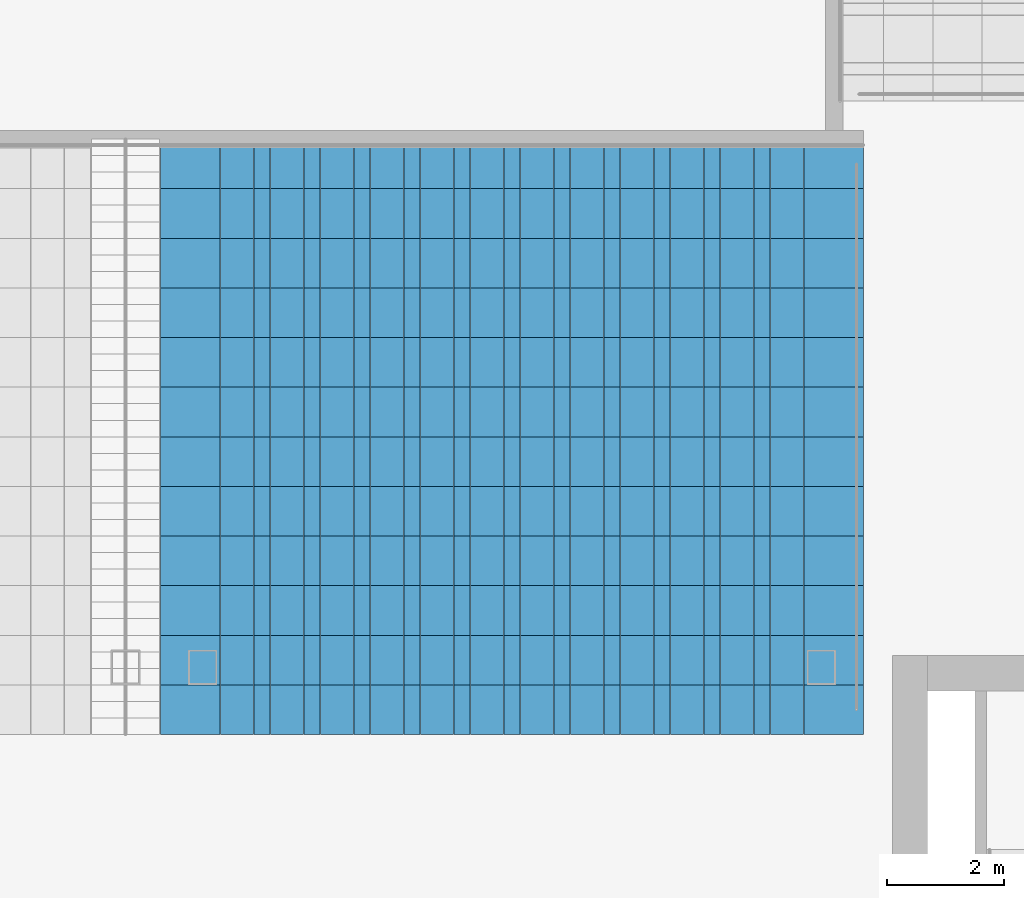
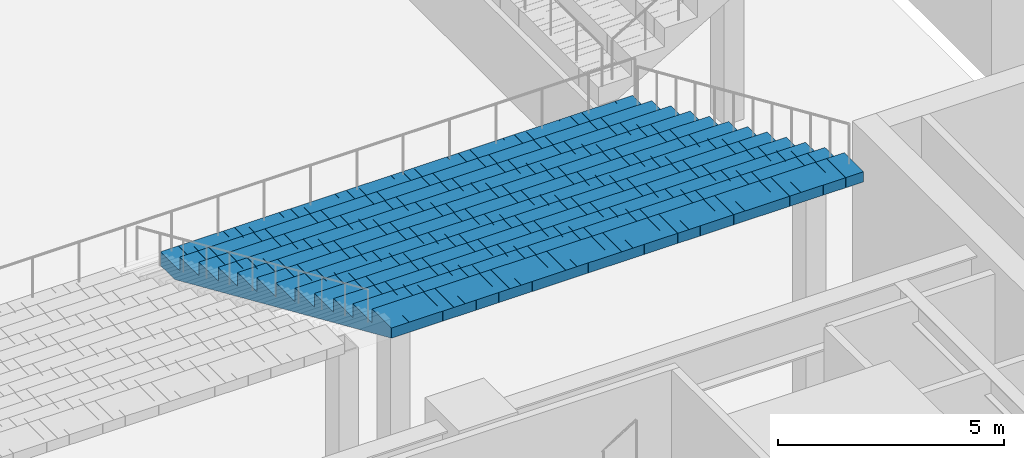
# One storey, part 29 of 62: 1 slab.
"""IFC4 building model written with IfcOpenShell, lengths in metres."""

import ifcopenshell
import ifcopenshell.guid

model = None  # the IFC model being written
_history = None  # IfcOwnerHistory: only IFC2X3 demands one
_inside = {}  # id of a spatial element -> (the spatial element, [elements in it])
_under = {}  # id of a project, library or spatial element -> (it, [spatial elements below it])
_declared = {}  # id of a project -> (the project, [libraries it declares])
_typed = {}  # id of a type object -> (the type object, [elements of that type])
_made_of = {}  # id of a material, layer set ... -> (it, [elements and type objects made of it])


def new_model(schema):
    """Start an empty IFC model of exactly this schema.

    Asked for "IFC4X3", IfcOpenShell would pick the latest addendum, in which some entities
    have other attributes; the version numbers below select the first issue.
    IFC2X3 requires an IfcOwnerHistory on every rooted entity: one is made here for all.
    """
    global model, _history
    if schema == "IFC4X3":
        model = ifcopenshell.file(schema_version=(4, 3, 0, 0))
    else:
        model = ifcopenshell.file(schema=schema)
    _inside.clear()
    _under.clear()
    _declared.clear()
    _typed.clear()
    _made_of.clear()
    _history = None
    if model.schema == "IFC2X3":
        org = make("IfcOrganization", Name="unknown")
        user = make(
            "IfcPersonAndOrganization",
            ThePerson=make("IfcPerson", FamilyName="unknown"),
            TheOrganization=org,
        )
        app = make(
            "IfcApplication",
            ApplicationDeveloper=org,
            Version="unknown",
            ApplicationFullName="unknown",
            ApplicationIdentifier="unknown",
        )
        _history = make(
            "IfcOwnerHistory",
            OwningUser=user,
            OwningApplication=app,
            ChangeAction="ADDED",
            CreationDate=0,
        )
    return model


def make(cls, **values):
    """One entity of the class cls with the attributes given. An attribute that is None is left unset."""
    return model.create_entity(
        cls, **{name: value for name, value in values.items() if value is not None}
    )


def rooted(cls, **values):
    """An entity with a GlobalId (a new one), such as an element, a storey or a relation."""
    return make(cls, GlobalId=ifcopenshell.guid.new(), OwnerHistory=_history, **values)


def si_unit(unit_type, name, prefix=None):
    """IfcSIUnit, for example si_unit("LENGTHUNIT", "METRE", prefix="MILLI")."""
    return make("IfcSIUnit", UnitType=unit_type, Prefix=prefix, Name=name)


def assignment(units):
    """IfcUnitAssignment: the units of a project."""
    return None if units is None else make("IfcUnitAssignment", Units=units)


def point(xyz):
    """IfcCartesianPoint."""
    return None if xyz is None else make("IfcCartesianPoint", Coordinates=xyz)


def direction(xyz):
    """IfcDirection."""
    return None if xyz is None else make("IfcDirection", DirectionRatios=xyz)


def frame(location, z_axis=None, x_axis=None):
    """IfcAxis2Placement3D, a coordinate frame: its origin and axes. An axis left out is left unset."""
    return make(
        "IfcAxis2Placement3D",
        Location=point(location),
        Axis=direction(z_axis),
        RefDirection=direction(x_axis),
    )


def origin():
    """The frame at (0, 0, 0) with its axes left unset."""
    return frame((0.0, 0.0, 0.0))


def place(relative_to, where):
    """IfcLocalPlacement: puts the frame where relative to a parent placement (None: the world)."""
    return make(
        "IfcLocalPlacement", PlacementRelTo=relative_to, RelativePlacement=where
    )


def context(
    kind, dimensions, precision=None, world=None, true_north=None, identifier=None
):
    """IfcGeometricRepresentationContext, for example the 3D "Model" context."""
    return make(
        "IfcGeometricRepresentationContext",
        ContextIdentifier=identifier,
        ContextType=kind,
        CoordinateSpaceDimension=dimensions,
        Precision=precision,
        WorldCoordinateSystem=world,
        TrueNorth=true_north,
    )


def subcontext(parent, identifier, kind, view, scale=None):
    """IfcGeometricRepresentationSubContext, for example "Body" below "Model"."""
    return make(
        "IfcGeometricRepresentationSubContext",
        ContextIdentifier=identifier,
        ContextType=kind,
        ParentContext=parent,
        TargetScale=scale,
        TargetView=view,
    )


def project(units=None, contexts=None):
    """IfcProject with its units and contexts."""
    return rooted(
        "IfcProject",
        Name="project",
        RepresentationContexts=contexts,
        UnitsInContext=assignment(units),
    )


def spatial(cls, under=None, at=None, **own):
    """A site, building, storey or space (cls), placed at a placement, below another one or the project."""
    s = rooted(cls, ObjectPlacement=at, **own)
    if under is not None:
        _under.setdefault(under.id(), (under, []))[1].append(s)
    return s


def polyline(points):
    """IfcPolyline through the points."""
    return make("IfcPolyline", Points=[point(p) for p in points])


def outline(outer, holes=None, kind="AREA"):
    """IfcArbitraryClosedProfileDef: a profile drawn as a closed curve; with holes, ...WithVoids."""
    if holes is None:
        return make("IfcArbitraryClosedProfileDef", ProfileType=kind, OuterCurve=outer)
    return make(
        "IfcArbitraryProfileDefWithVoids",
        ProfileType=kind,
        OuterCurve=outer,
        InnerCurves=holes,
    )


def extrude(swept, where, along, depth):
    """IfcExtrudedAreaSolid: the profile swept, set in the frame where, extruded along a direction by depth."""
    return make(
        "IfcExtrudedAreaSolid",
        SweptArea=swept,
        Position=where,
        ExtrudedDirection=direction(along),
        Depth=depth,
    )


def shape(context_of_items, identifier, shape_type, items):
    """IfcShapeRepresentation: the items that make up one representation, for example the "Body"."""
    return make(
        "IfcShapeRepresentation",
        ContextOfItems=context_of_items,
        RepresentationIdentifier=identifier,
        RepresentationType=shape_type,
        Items=items,
    )


def material(Name=None, Category=None):
    """IfcMaterial."""
    return make("IfcMaterial", Name=Name, Category=Category)


def layer(
    of_material, thickness, ventilated=None, Name=None, Category=None, Priority=None
):
    """IfcMaterialLayer: one layer of a wall or slab, of a material (None: an air gap)."""
    return make(
        "IfcMaterialLayer",
        Material=of_material,
        LayerThickness=thickness,
        IsVentilated=ventilated,
        Name=Name,
        Category=Category,
        Priority=Priority,
    )


def layer_set(layers, Name=None):
    """IfcMaterialLayerSet."""
    return make("IfcMaterialLayerSet", MaterialLayers=layers, LayerSetName=Name)


def made_of(thing, what):
    """Note that an element or type object is made of a material, layer set ...; save() writes the relation."""
    if what is not None:
        _made_of.setdefault(what.id(), (what, []))[1].append(thing)
    return thing


def type_object(cls, material=None, **own):
    """A type object (cls), such as IfcWallType, which elements share."""
    return made_of(rooted(cls, **own), material)


def element(
    cls,
    number,
    at=None,
    inside=None,
    cuts=None,
    type_object=None,
    material=None,
    context=None,
    identifier="Body",
    shape_type=None,
    held_by="IfcProductDefinitionShape",
    body=None,
    shapes=None,
    **own,
):
    """One element of the class cls, such as IfcWall. Its Tag is "e" and its number.

    at: its placement. inside: the storey or other place that contains it. cuts: it is an
    opening in that element (IfcRelVoidsElement). A single representation is given by context,
    identifier, shape_type and body (its items); several are given by shapes. held_by: the class
    of the entity that holds the representations. save() writes the other relations.
    """
    e = rooted(cls, Tag="e%d" % number, ObjectPlacement=at, **own)
    if body is not None:
        shapes = [shape(context, identifier, shape_type, body)]
    if shapes is not None:
        e.Representation = make(held_by, Representations=shapes)
    if inside is not None:
        _inside.setdefault(inside.id(), (inside, []))[1].append(e)
    if cuts is not None:
        rooted(
            "IfcRelVoidsElement", RelatingBuildingElement=cuts, RelatedOpeningElement=e
        )
    if type_object is not None:
        _typed.setdefault(type_object.id(), (type_object, []))[1].append(e)
    return made_of(e, material)


def aggregate(whole, parts):
    """IfcRelAggregates: a whole, such as a stair, and the parts it consists of."""
    return rooted("IfcRelAggregates", RelatingObject=whole, RelatedObjects=parts)


def save(model, path):
    """Write the relations noted so far, then the file.

    IfcRelAggregates (storeys below a building ...), IfcRelContainedInSpatialStructure (elements
    in a storey), IfcRelDefinesByType, IfcRelAssociatesMaterial and IfcRelDeclares: one each for
    every whole, place, type object, material and project.
    """
    for whole, parts in _under.values():
        aggregate(whole, parts)
    for where, things in _inside.values():
        rooted(
            "IfcRelContainedInSpatialStructure",
            RelatedElements=things,
            RelatingStructure=where,
        )
    for kind, things in _typed.values():
        rooted("IfcRelDefinesByType", RelatedObjects=things, RelatingType=kind)
    for what, things in _made_of.values():
        rooted("IfcRelAssociatesMaterial", RelatedObjects=things, RelatingMaterial=what)
    for by, libraries in _declared.values():
        rooted("IfcRelDeclares", RelatingContext=by, RelatedDefinitions=libraries)
    model.write(path)


model = new_model("IFC4")

# Units and contexts
model_context = context("Model", 3, precision=1e-05, world=origin(), true_north=direction((0.0, 1.0)))
body_context = subcontext(model_context, "Body", "Model", "MODEL_VIEW")
ifc_project = project(units=[si_unit("LENGTHUNIT", "METRE"), si_unit("AREAUNIT", "SQUARE_METRE"), si_unit("VOLUMEUNIT", "CUBIC_METRE"), si_unit("PLANEANGLEUNIT", "RADIAN"), si_unit("MASSUNIT", "GRAM", prefix="KILO")], contexts=[model_context])

# Site, building, storey
site_placement = place(None, origin())
site = spatial("IfcSite", under=ifc_project, at=site_placement, CompositionType="ELEMENT")
building_placement = place(site_placement, origin())
building = spatial("IfcBuilding", under=site, at=building_placement, Name="Corbelhall Arena Tower", CompositionType="ELEMENT")
storey_placement = place(building_placement, frame((0.0, 0.0, 12.0)))
storey = spatial("IfcBuildingStorey", under=building, at=storey_placement, Name="L01", CompositionType="ELEMENT", Elevation=12.0)

# Slab
ifc_material = material(Name="Precast concrete C40/50", Category="concrete")
ifc_layer = layer(ifc_material, 0.25)
ifc_layer_set = layer_set([ifc_layer], Name="AR-TIER-RAKED")
slab_type = type_object("IfcSlabType", Name="AR-TIER-RAKED", PredefinedType="FLOOR", material=ifc_layer_set)
slab_placement = place(storey_placement, frame((26.47998046875, -15.14990234375, 2.125), z_axis=(0.0, 0.0, 1.0), x_axis=(0.0, -1.0, 0.0)))
element("IfcSlab", 1, at=slab_placement, inside=storey, type_object=slab_type, Name="Tier section LSA", PredefinedType="FLOOR", context=body_context, shape_type="SweptSolid", body=[
    extrude(outline(polyline([(0.0, 0.0), (0.0, 0.375), (0.85009765625, 0.375), (0.85009765625, 0.75), (1.699951171875, 0.75), (1.699951171875, 1.125), (2.550048828125, 1.125), (2.550048828125, 1.5), (3.39990234375, 1.5), (3.39990234375, 1.875), (4.25, 1.875), (4.25, 2.25), (5.10009765625, 2.25), (5.10009765625, 2.625), (5.949951171875, 2.625), (5.949951171875, 3.0), (6.800048828125, 3.0), (6.800048828125, 3.375), (7.64990234375, 3.375), (7.64990234375, 3.75), (8.5, 3.75), (8.5, 4.125), (9.35009765625, 4.125), (9.35009765625, 4.5), (10.199951171875, 4.5), (10.199951171875, 4.875), (10.199951171875, 4.226806640625), (0.619384765625, 0.0), (0.0, 0.0)])), frame((0.0, 6.02001953125, 0.0), z_axis=(0.0, -1.0, 0.0), x_axis=(1.0, 0.0, 0.0)), (0.0, 0.0, 1.0), 0.449951171875),
    extrude(outline(polyline([(0.0, 0.0), (0.0, 0.375), (0.85009765625, 0.375), (0.85009765625, 0.75), (1.699951171875, 0.75), (1.699951171875, 1.125), (2.550048828125, 1.125), (2.550048828125, 1.5), (3.39990234375, 1.5), (3.39990234375, 1.875), (4.25, 1.875), (4.25, 2.25), (5.10009765625, 2.25), (5.10009765625, 2.625), (5.949951171875, 2.625), (5.949951171875, 3.0), (6.800048828125, 3.0), (6.800048828125, 3.375), (7.64990234375, 3.375), (7.64990234375, 3.75), (8.5, 3.75), (8.5, 4.125), (9.35009765625, 4.125), (9.35009765625, 4.5), (10.199951171875, 4.5), (10.199951171875, 4.875), (10.199951171875, 4.226806640625), (0.619384765625, 0.0), (0.0, 0.0)])), frame((0.0, 5.56591796875, 0.0), z_axis=(0.0, -1.0, 0.0), x_axis=(1.0, 0.0, 0.0)), (0.0, 0.0, 1.0), 0.281494140625),
    extrude(outline(polyline([(0.0, 0.0), (0.0, 0.375), (0.85009765625, 0.375), (0.85009765625, 0.75), (1.699951171875, 0.75), (1.699951171875, 1.125), (2.550048828125, 1.125), (2.550048828125, 1.5), (3.39990234375, 1.5), (3.39990234375, 1.875), (4.25, 1.875), (4.25, 2.25), (5.10009765625, 2.25), (5.10009765625, 2.625), (5.949951171875, 2.625), (5.949951171875, 3.0), (6.800048828125, 3.0), (6.800048828125, 3.375), (7.64990234375, 3.375), (7.64990234375, 3.75), (8.5, 3.75), (8.5, 4.125), (9.35009765625, 4.125), (9.35009765625, 4.5), (10.199951171875, 4.5), (10.199951171875, 4.875), (10.199951171875, 4.226806640625), (0.619384765625, 0.0), (0.0, 0.0)])), frame((0.0, 5.280517578125, 0.0), z_axis=(0.0, -1.0, 0.0), x_axis=(1.0, 0.0, 0.0)), (0.0, 0.0, 1.0), 0.281494140625),
    extrude(outline(polyline([(0.0, 0.0), (0.0, 0.375), (0.85009765625, 0.375), (0.85009765625, 0.75), (1.699951171875, 0.75), (1.699951171875, 1.125), (2.550048828125, 1.125), (2.550048828125, 1.5), (3.39990234375, 1.5), (3.39990234375, 1.875), (4.25, 1.875), (4.25, 2.25), (5.10009765625, 2.25), (5.10009765625, 2.625), (5.949951171875, 2.625), (5.949951171875, 3.0), (6.800048828125, 3.0), (6.800048828125, 3.375), (7.64990234375, 3.375), (7.64990234375, 3.75), (8.5, 3.75), (8.5, 4.125), (9.35009765625, 4.125), (9.35009765625, 4.5), (10.199951171875, 4.5), (10.199951171875, 4.875), (10.199951171875, 4.226806640625), (0.619384765625, 0.0), (0.0, 0.0)])), frame((0.0, 4.994873046875, 0.0), z_axis=(0.0, -1.0, 0.0), x_axis=(1.0, 0.0, 0.0)), (0.0, 0.0, 1.0), 0.281494140625),
    extrude(outline(polyline([(0.0, 0.0), (0.0, 0.375), (0.85009765625, 0.375), (0.85009765625, 0.75), (1.699951171875, 0.75), (1.699951171875, 1.125), (2.550048828125, 1.125), (2.550048828125, 1.5), (3.39990234375, 1.5), (3.39990234375, 1.875), (4.25, 1.875), (4.25, 2.25), (5.10009765625, 2.25), (5.10009765625, 2.625), (5.949951171875, 2.625), (5.949951171875, 3.0), (6.800048828125, 3.0), (6.800048828125, 3.375), (7.64990234375, 3.375), (7.64990234375, 3.75), (8.5, 3.75), (8.5, 4.125), (9.35009765625, 4.125), (9.35009765625, 4.5), (10.199951171875, 4.5), (10.199951171875, 4.875), (10.199951171875, 4.226806640625), (0.619384765625, 0.0), (0.0, 0.0)])), frame((0.0, 4.70947265625, 0.0), z_axis=(0.0, -1.0, 0.0), x_axis=(1.0, 0.0, 0.0)), (0.0, 0.0, 1.0), 0.281494140625),
    extrude(outline(polyline([(0.0, 0.0), (0.0, 0.375), (0.85009765625, 0.375), (0.85009765625, 0.75), (1.699951171875, 0.75), (1.699951171875, 1.125), (2.550048828125, 1.125), (2.550048828125, 1.5), (3.39990234375, 1.5), (3.39990234375, 1.875), (4.25, 1.875), (4.25, 2.25), (5.10009765625, 2.25), (5.10009765625, 2.625), (5.949951171875, 2.625), (5.949951171875, 3.0), (6.800048828125, 3.0), (6.800048828125, 3.375), (7.64990234375, 3.375), (7.64990234375, 3.75), (8.5, 3.75), (8.5, 4.125), (9.35009765625, 4.125), (9.35009765625, 4.5), (10.199951171875, 4.5), (10.199951171875, 4.875), (10.199951171875, 4.226806640625), (0.619384765625, 0.0), (0.0, 0.0)])), frame((0.0, 4.423828125, 0.0), z_axis=(0.0, -1.0, 0.0), x_axis=(1.0, 0.0, 0.0)), (0.0, 0.0, 1.0), 0.281494140625),
    extrude(outline(polyline([(0.0, 0.0), (0.0, 0.375), (0.85009765625, 0.375), (0.85009765625, 0.75), (1.699951171875, 0.75), (1.699951171875, 1.125), (2.550048828125, 1.125), (2.550048828125, 1.5), (3.39990234375, 1.5), (3.39990234375, 1.875), (4.25, 1.875), (4.25, 2.25), (5.10009765625, 2.25), (5.10009765625, 2.625), (5.949951171875, 2.625), (5.949951171875, 3.0), (6.800048828125, 3.0), (6.800048828125, 3.375), (7.64990234375, 3.375), (7.64990234375, 3.75), (8.5, 3.75), (8.5, 4.125), (9.35009765625, 4.125), (9.35009765625, 4.5), (10.199951171875, 4.5), (10.199951171875, 4.875), (10.199951171875, 4.226806640625), (0.619384765625, 0.0), (0.0, 0.0)])), frame((0.0, 4.138427734375, 0.0), z_axis=(0.0, -1.0, 0.0), x_axis=(1.0, 0.0, 0.0)), (0.0, 0.0, 1.0), 0.281494140625),
    extrude(outline(polyline([(0.0, 0.0), (0.0, 0.375), (0.85009765625, 0.375), (0.85009765625, 0.75), (1.699951171875, 0.75), (1.699951171875, 1.125), (2.550048828125, 1.125), (2.550048828125, 1.5), (3.39990234375, 1.5), (3.39990234375, 1.875), (4.25, 1.875), (4.25, 2.25), (5.10009765625, 2.25), (5.10009765625, 2.625), (5.949951171875, 2.625), (5.949951171875, 3.0), (6.800048828125, 3.0), (6.800048828125, 3.375), (7.64990234375, 3.375), (7.64990234375, 3.75), (8.5, 3.75), (8.5, 4.125), (9.35009765625, 4.125), (9.35009765625, 4.5), (10.199951171875, 4.5), (10.199951171875, 4.875), (10.199951171875, 4.226806640625), (0.619384765625, 0.0), (0.0, 0.0)])), frame((0.0, 3.852783203125, 0.0), z_axis=(0.0, -1.0, 0.0), x_axis=(1.0, 0.0, 0.0)), (0.0, 0.0, 1.0), 0.281494140625),
    extrude(outline(polyline([(0.0, 0.0), (0.0, 0.375), (0.85009765625, 0.375), (0.85009765625, 0.75), (1.699951171875, 0.75), (1.699951171875, 1.125), (2.550048828125, 1.125), (2.550048828125, 1.5), (3.39990234375, 1.5), (3.39990234375, 1.875), (4.25, 1.875), (4.25, 2.25), (5.10009765625, 2.25), (5.10009765625, 2.625), (5.949951171875, 2.625), (5.949951171875, 3.0), (6.800048828125, 3.0), (6.800048828125, 3.375), (7.64990234375, 3.375), (7.64990234375, 3.75), (8.5, 3.75), (8.5, 4.125), (9.35009765625, 4.125), (9.35009765625, 4.5), (10.199951171875, 4.5), (10.199951171875, 4.875), (10.199951171875, 4.226806640625), (0.619384765625, 0.0), (0.0, 0.0)])), frame((0.0, 3.567138671875, 0.0), z_axis=(0.0, -1.0, 0.0), x_axis=(1.0, 0.0, 0.0)), (0.0, 0.0, 1.0), 0.281494140625),
    extrude(outline(polyline([(0.0, 0.0), (0.0, 0.375), (0.85009765625, 0.375), (0.85009765625, 0.75), (1.699951171875, 0.75), (1.699951171875, 1.125), (2.550048828125, 1.125), (2.550048828125, 1.5), (3.39990234375, 1.5), (3.39990234375, 1.875), (4.25, 1.875), (4.25, 2.25), (5.10009765625, 2.25), (5.10009765625, 2.625), (5.949951171875, 2.625), (5.949951171875, 3.0), (6.800048828125, 3.0), (6.800048828125, 3.375), (7.64990234375, 3.375), (7.64990234375, 3.75), (8.5, 3.75), (8.5, 4.125), (9.35009765625, 4.125), (9.35009765625, 4.5), (10.199951171875, 4.5), (10.199951171875, 4.875), (10.199951171875, 4.226806640625), (0.619384765625, 0.0), (0.0, 0.0)])), frame((0.0, 3.28173828125, 0.0), z_axis=(0.0, -1.0, 0.0), x_axis=(1.0, 0.0, 0.0)), (0.0, 0.0, 1.0), 0.281494140625),
    extrude(outline(polyline([(0.0, 0.0), (0.0, 0.375), (0.85009765625, 0.375), (0.85009765625, 0.75), (1.699951171875, 0.75), (1.699951171875, 1.125), (2.550048828125, 1.125), (2.550048828125, 1.5), (3.39990234375, 1.5), (3.39990234375, 1.875), (4.25, 1.875), (4.25, 2.25), (5.10009765625, 2.25), (5.10009765625, 2.625), (5.949951171875, 2.625), (5.949951171875, 3.0), (6.800048828125, 3.0), (6.800048828125, 3.375), (7.64990234375, 3.375), (7.64990234375, 3.75), (8.5, 3.75), (8.5, 4.125), (9.35009765625, 4.125), (9.35009765625, 4.5), (10.199951171875, 4.5), (10.199951171875, 4.875), (10.199951171875, 4.226806640625), (0.619384765625, 0.0), (0.0, 0.0)])), frame((0.0, 2.99609375, 0.0), z_axis=(0.0, -1.0, 0.0), x_axis=(1.0, 0.0, 0.0)), (0.0, 0.0, 1.0), 0.281494140625),
    extrude(outline(polyline([(0.0, 0.0), (0.0, 0.375), (0.85009765625, 0.375), (0.85009765625, 0.75), (1.699951171875, 0.75), (1.699951171875, 1.125), (2.550048828125, 1.125), (2.550048828125, 1.5), (3.39990234375, 1.5), (3.39990234375, 1.875), (4.25, 1.875), (4.25, 2.25), (5.10009765625, 2.25), (5.10009765625, 2.625), (5.949951171875, 2.625), (5.949951171875, 3.0), (6.800048828125, 3.0), (6.800048828125, 3.375), (7.64990234375, 3.375), (7.64990234375, 3.75), (8.5, 3.75), (8.5, 4.125), (9.35009765625, 4.125), (9.35009765625, 4.5), (10.199951171875, 4.5), (10.199951171875, 4.875), (10.199951171875, 4.226806640625), (0.619384765625, 0.0), (0.0, 0.0)])), frame((0.0, 2.710693359375, 0.0), z_axis=(0.0, -1.0, 0.0), x_axis=(1.0, 0.0, 0.0)), (0.0, 0.0, 1.0), 0.281494140625),
    extrude(outline(polyline([(0.0, 0.0), (0.0, 0.375), (0.85009765625, 0.375), (0.85009765625, 0.75), (1.699951171875, 0.75), (1.699951171875, 1.125), (2.550048828125, 1.125), (2.550048828125, 1.5), (3.39990234375, 1.5), (3.39990234375, 1.875), (4.25, 1.875), (4.25, 2.25), (5.10009765625, 2.25), (5.10009765625, 2.625), (5.949951171875, 2.625), (5.949951171875, 3.0), (6.800048828125, 3.0), (6.800048828125, 3.375), (7.64990234375, 3.375), (7.64990234375, 3.75), (8.5, 3.75), (8.5, 4.125), (9.35009765625, 4.125), (9.35009765625, 4.5), (10.199951171875, 4.5), (10.199951171875, 4.875), (10.199951171875, 4.226806640625), (0.619384765625, 0.0), (0.0, 0.0)])), frame((0.0, 2.425048828125, 0.0), z_axis=(0.0, -1.0, 0.0), x_axis=(1.0, 0.0, 0.0)), (0.0, 0.0, 1.0), 0.281494140625),
    extrude(outline(polyline([(0.0, 0.0), (0.0, 0.375), (0.85009765625, 0.375), (0.85009765625, 0.75), (1.699951171875, 0.75), (1.699951171875, 1.125), (2.550048828125, 1.125), (2.550048828125, 1.5), (3.39990234375, 1.5), (3.39990234375, 1.875), (4.25, 1.875), (4.25, 2.25), (5.10009765625, 2.25), (5.10009765625, 2.625), (5.949951171875, 2.625), (5.949951171875, 3.0), (6.800048828125, 3.0), (6.800048828125, 3.375), (7.64990234375, 3.375), (7.64990234375, 3.75), (8.5, 3.75), (8.5, 4.125), (9.35009765625, 4.125), (9.35009765625, 4.5), (10.199951171875, 4.5), (10.199951171875, 4.875), (10.199951171875, 4.226806640625), (0.619384765625, 0.0), (0.0, 0.0)])), frame((0.0, 2.1396484375, 0.0), z_axis=(0.0, -1.0, 0.0), x_axis=(1.0, 0.0, 0.0)), (0.0, 0.0, 1.0), 0.281494140625),
    extrude(outline(polyline([(0.0, 0.0), (0.0, 0.375), (0.85009765625, 0.375), (0.85009765625, 0.75), (1.699951171875, 0.75), (1.699951171875, 1.125), (2.550048828125, 1.125), (2.550048828125, 1.5), (3.39990234375, 1.5), (3.39990234375, 1.875), (4.25, 1.875), (4.25, 2.25), (5.10009765625, 2.25), (5.10009765625, 2.625), (5.949951171875, 2.625), (5.949951171875, 3.0), (6.800048828125, 3.0), (6.800048828125, 3.375), (7.64990234375, 3.375), (7.64990234375, 3.75), (8.5, 3.75), (8.5, 4.125), (9.35009765625, 4.125), (9.35009765625, 4.5), (10.199951171875, 4.5), (10.199951171875, 4.875), (10.199951171875, 4.226806640625), (0.619384765625, 0.0), (0.0, 0.0)])), frame((0.0, 1.85400390625, 0.0), z_axis=(0.0, -1.0, 0.0), x_axis=(1.0, 0.0, 0.0)), (0.0, 0.0, 1.0), 0.281494140625),
    extrude(outline(polyline([(0.0, 0.0), (0.0, 0.375), (0.85009765625, 0.375), (0.85009765625, 0.75), (1.699951171875, 0.75), (1.699951171875, 1.125), (2.550048828125, 1.125), (2.550048828125, 1.5), (3.39990234375, 1.5), (3.39990234375, 1.875), (4.25, 1.875), (4.25, 2.25), (5.10009765625, 2.25), (5.10009765625, 2.625), (5.949951171875, 2.625), (5.949951171875, 3.0), (6.800048828125, 3.0), (6.800048828125, 3.375), (7.64990234375, 3.375), (7.64990234375, 3.75), (8.5, 3.75), (8.5, 4.125), (9.35009765625, 4.125), (9.35009765625, 4.5), (10.199951171875, 4.5), (10.199951171875, 4.875), (10.199951171875, 4.226806640625), (0.619384765625, 0.0), (0.0, 0.0)])), frame((0.0, 1.568359375, 0.0), z_axis=(0.0, -1.0, 0.0), x_axis=(1.0, 0.0, 0.0)), (0.0, 0.0, 1.0), 0.281494140625),
    extrude(outline(polyline([(0.0, 0.0), (0.0, 0.375), (0.85009765625, 0.375), (0.85009765625, 0.75), (1.699951171875, 0.75), (1.699951171875, 1.125), (2.550048828125, 1.125), (2.550048828125, 1.5), (3.39990234375, 1.5), (3.39990234375, 1.875), (4.25, 1.875), (4.25, 2.25), (5.10009765625, 2.25), (5.10009765625, 2.625), (5.949951171875, 2.625), (5.949951171875, 3.0), (6.800048828125, 3.0), (6.800048828125, 3.375), (7.64990234375, 3.375), (7.64990234375, 3.75), (8.5, 3.75), (8.5, 4.125), (9.35009765625, 4.125), (9.35009765625, 4.5), (10.199951171875, 4.5), (10.199951171875, 4.875), (10.199951171875, 4.226806640625), (0.619384765625, 0.0), (0.0, 0.0)])), frame((0.0, 1.282958984375, 0.0), z_axis=(0.0, -1.0, 0.0), x_axis=(1.0, 0.0, 0.0)), (0.0, 0.0, 1.0), 0.281494140625),
    extrude(outline(polyline([(0.0, 0.0), (0.0, 0.375), (0.85009765625, 0.375), (0.85009765625, 0.75), (1.699951171875, 0.75), (1.699951171875, 1.125), (2.550048828125, 1.125), (2.550048828125, 1.5), (3.39990234375, 1.5), (3.39990234375, 1.875), (4.25, 1.875), (4.25, 2.25), (5.10009765625, 2.25), (5.10009765625, 2.625), (5.949951171875, 2.625), (5.949951171875, 3.0), (6.800048828125, 3.0), (6.800048828125, 3.375), (7.64990234375, 3.375), (7.64990234375, 3.75), (8.5, 3.75), (8.5, 4.125), (9.35009765625, 4.125), (9.35009765625, 4.5), (10.199951171875, 4.5), (10.199951171875, 4.875), (10.199951171875, 4.226806640625), (0.619384765625, 0.0), (0.0, 0.0)])), frame((0.0, 0.997314453125, 0.0), z_axis=(0.0, -1.0, 0.0), x_axis=(1.0, 0.0, 0.0)), (0.0, 0.0, 1.0), 0.281494140625),
    extrude(outline(polyline([(0.0, 0.0), (0.0, 0.375), (0.85009765625, 0.375), (0.85009765625, 0.75), (1.699951171875, 0.75), (1.699951171875, 1.125), (2.550048828125, 1.125), (2.550048828125, 1.5), (3.39990234375, 1.5), (3.39990234375, 1.875), (4.25, 1.875), (4.25, 2.25), (5.10009765625, 2.25), (5.10009765625, 2.625), (5.949951171875, 2.625), (5.949951171875, 3.0), (6.800048828125, 3.0), (6.800048828125, 3.375), (7.64990234375, 3.375), (7.64990234375, 3.75), (8.5, 3.75), (8.5, 4.125), (9.35009765625, 4.125), (9.35009765625, 4.5), (10.199951171875, 4.5), (10.199951171875, 4.875), (10.199951171875, 4.226806640625), (0.619384765625, 0.0), (0.0, 0.0)])), frame((0.0, 0.7119140625, 0.0), z_axis=(0.0, -1.0, 0.0), x_axis=(1.0, 0.0, 0.0)), (0.0, 0.0, 1.0), 0.281494140625),
    extrude(outline(polyline([(0.0, 0.0), (0.0, 0.375), (0.85009765625, 0.375), (0.85009765625, 0.75), (1.699951171875, 0.75), (1.699951171875, 1.125), (2.550048828125, 1.125), (2.550048828125, 1.5), (3.39990234375, 1.5), (3.39990234375, 1.875), (4.25, 1.875), (4.25, 2.25), (5.10009765625, 2.25), (5.10009765625, 2.625), (5.949951171875, 2.625), (5.949951171875, 3.0), (6.800048828125, 3.0), (6.800048828125, 3.375), (7.64990234375, 3.375), (7.64990234375, 3.75), (8.5, 3.75), (8.5, 4.125), (9.35009765625, 4.125), (9.35009765625, 4.5), (10.199951171875, 4.5), (10.199951171875, 4.875), (10.199951171875, 4.226806640625), (0.619384765625, 0.0), (0.0, 0.0)])), frame((0.0, 0.42626953125, 0.0), z_axis=(0.0, -1.0, 0.0), x_axis=(1.0, 0.0, 0.0)), (0.0, 0.0, 1.0), 0.281494140625),
    extrude(outline(polyline([(0.0, 0.0), (0.0, 0.375), (0.85009765625, 0.375), (0.85009765625, 0.75), (1.699951171875, 0.75), (1.699951171875, 1.125), (2.550048828125, 1.125), (2.550048828125, 1.5), (3.39990234375, 1.5), (3.39990234375, 1.875), (4.25, 1.875), (4.25, 2.25), (5.10009765625, 2.25), (5.10009765625, 2.625), (5.949951171875, 2.625), (5.949951171875, 3.0), (6.800048828125, 3.0), (6.800048828125, 3.375), (7.64990234375, 3.375), (7.64990234375, 3.75), (8.5, 3.75), (8.5, 4.125), (9.35009765625, 4.125), (9.35009765625, 4.5), (10.199951171875, 4.5), (10.199951171875, 4.875), (10.199951171875, 4.226806640625), (0.619384765625, 0.0), (0.0, 0.0)])), frame((0.0, 0.140869140625, 0.0), z_axis=(0.0, -1.0, 0.0), x_axis=(1.0, 0.0, 0.0)), (0.0, 0.0, 1.0), 0.281494140625),
    extrude(outline(polyline([(0.0, 0.0), (0.0, 0.375), (0.85009765625, 0.375), (0.85009765625, 0.75), (1.699951171875, 0.75), (1.699951171875, 1.125), (2.550048828125, 1.125), (2.550048828125, 1.5), (3.39990234375, 1.5), (3.39990234375, 1.875), (4.25, 1.875), (4.25, 2.25), (5.10009765625, 2.25), (5.10009765625, 2.625), (5.949951171875, 2.625), (5.949951171875, 3.0), (6.800048828125, 3.0), (6.800048828125, 3.375), (7.64990234375, 3.375), (7.64990234375, 3.75), (8.5, 3.75), (8.5, 4.125), (9.35009765625, 4.125), (9.35009765625, 4.5), (10.199951171875, 4.5), (10.199951171875, 4.875), (10.199951171875, 4.226806640625), (0.619384765625, 0.0), (0.0, 0.0)])), frame((0.0, -0.144775390625, 0.0), z_axis=(0.0, -1.0, 0.0), x_axis=(1.0, 0.0, 0.0)), (0.0, 0.0, 1.0), 0.281494140625),
    extrude(outline(polyline([(0.0, 0.0), (0.0, 0.375), (0.85009765625, 0.375), (0.85009765625, 0.75), (1.699951171875, 0.75), (1.699951171875, 1.125), (2.550048828125, 1.125), (2.550048828125, 1.5), (3.39990234375, 1.5), (3.39990234375, 1.875), (4.25, 1.875), (4.25, 2.25), (5.10009765625, 2.25), (5.10009765625, 2.625), (5.949951171875, 2.625), (5.949951171875, 3.0), (6.800048828125, 3.0), (6.800048828125, 3.375), (7.64990234375, 3.375), (7.64990234375, 3.75), (8.5, 3.75), (8.5, 4.125), (9.35009765625, 4.125), (9.35009765625, 4.5), (10.199951171875, 4.5), (10.199951171875, 4.875), (10.199951171875, 4.226806640625), (0.619384765625, 0.0), (0.0, 0.0)])), frame((0.0, -0.430419921875, 0.0), z_axis=(0.0, -1.0, 0.0), x_axis=(1.0, 0.0, 0.0)), (0.0, 0.0, 1.0), 0.281494140625),
    extrude(outline(polyline([(0.0, 0.0), (0.0, 0.375), (0.85009765625, 0.375), (0.85009765625, 0.75), (1.699951171875, 0.75), (1.699951171875, 1.125), (2.550048828125, 1.125), (2.550048828125, 1.5), (3.39990234375, 1.5), (3.39990234375, 1.875), (4.25, 1.875), (4.25, 2.25), (5.10009765625, 2.25), (5.10009765625, 2.625), (5.949951171875, 2.625), (5.949951171875, 3.0), (6.800048828125, 3.0), (6.800048828125, 3.375), (7.64990234375, 3.375), (7.64990234375, 3.75), (8.5, 3.75), (8.5, 4.125), (9.35009765625, 4.125), (9.35009765625, 4.5), (10.199951171875, 4.5), (10.199951171875, 4.875), (10.199951171875, 4.226806640625), (0.619384765625, 0.0), (0.0, 0.0)])), frame((0.0, -0.7158203125, 0.0), z_axis=(0.0, -1.0, 0.0), x_axis=(1.0, 0.0, 0.0)), (0.0, 0.0, 1.0), 0.281494140625),
    extrude(outline(polyline([(0.0, 0.0), (0.0, 0.375), (0.85009765625, 0.375), (0.85009765625, 0.75), (1.699951171875, 0.75), (1.699951171875, 1.125), (2.550048828125, 1.125), (2.550048828125, 1.5), (3.39990234375, 1.5), (3.39990234375, 1.875), (4.25, 1.875), (4.25, 2.25), (5.10009765625, 2.25), (5.10009765625, 2.625), (5.949951171875, 2.625), (5.949951171875, 3.0), (6.800048828125, 3.0), (6.800048828125, 3.375), (7.64990234375, 3.375), (7.64990234375, 3.75), (8.5, 3.75), (8.5, 4.125), (9.35009765625, 4.125), (9.35009765625, 4.5), (10.199951171875, 4.5), (10.199951171875, 4.875), (10.199951171875, 4.226806640625), (0.619384765625, 0.0), (0.0, 0.0)])), frame((0.0, -1.00146484375, 0.0), z_axis=(0.0, -1.0, 0.0), x_axis=(1.0, 0.0, 0.0)), (0.0, 0.0, 1.0), 0.281494140625),
    extrude(outline(polyline([(0.0, 0.0), (0.0, 0.375), (0.85009765625, 0.375), (0.85009765625, 0.75), (1.699951171875, 0.75), (1.699951171875, 1.125), (2.550048828125, 1.125), (2.550048828125, 1.5), (3.39990234375, 1.5), (3.39990234375, 1.875), (4.25, 1.875), (4.25, 2.25), (5.10009765625, 2.25), (5.10009765625, 2.625), (5.949951171875, 2.625), (5.949951171875, 3.0), (6.800048828125, 3.0), (6.800048828125, 3.375), (7.64990234375, 3.375), (7.64990234375, 3.75), (8.5, 3.75), (8.5, 4.125), (9.35009765625, 4.125), (9.35009765625, 4.5), (10.199951171875, 4.5), (10.199951171875, 4.875), (10.199951171875, 4.226806640625), (0.619384765625, 0.0), (0.0, 0.0)])), frame((0.0, -1.286865234375, 0.0), z_axis=(0.0, -1.0, 0.0), x_axis=(1.0, 0.0, 0.0)), (0.0, 0.0, 1.0), 0.281494140625),
    extrude(outline(polyline([(0.0, 0.0), (0.0, 0.375), (0.85009765625, 0.375), (0.85009765625, 0.75), (1.699951171875, 0.75), (1.699951171875, 1.125), (2.550048828125, 1.125), (2.550048828125, 1.5), (3.39990234375, 1.5), (3.39990234375, 1.875), (4.25, 1.875), (4.25, 2.25), (5.10009765625, 2.25), (5.10009765625, 2.625), (5.949951171875, 2.625), (5.949951171875, 3.0), (6.800048828125, 3.0), (6.800048828125, 3.375), (7.64990234375, 3.375), (7.64990234375, 3.75), (8.5, 3.75), (8.5, 4.125), (9.35009765625, 4.125), (9.35009765625, 4.5), (10.199951171875, 4.5), (10.199951171875, 4.875), (10.199951171875, 4.226806640625), (0.619384765625, 0.0), (0.0, 0.0)])), frame((0.0, -1.572509765625, 0.0), z_axis=(0.0, -1.0, 0.0), x_axis=(1.0, 0.0, 0.0)), (0.0, 0.0, 1.0), 0.281494140625),
    extrude(outline(polyline([(0.0, 0.0), (0.0, 0.375), (0.85009765625, 0.375), (0.85009765625, 0.75), (1.699951171875, 0.75), (1.699951171875, 1.125), (2.550048828125, 1.125), (2.550048828125, 1.5), (3.39990234375, 1.5), (3.39990234375, 1.875), (4.25, 1.875), (4.25, 2.25), (5.10009765625, 2.25), (5.10009765625, 2.625), (5.949951171875, 2.625), (5.949951171875, 3.0), (6.800048828125, 3.0), (6.800048828125, 3.375), (7.64990234375, 3.375), (7.64990234375, 3.75), (8.5, 3.75), (8.5, 4.125), (9.35009765625, 4.125), (9.35009765625, 4.5), (10.199951171875, 4.5), (10.199951171875, 4.875), (10.199951171875, 4.226806640625), (0.619384765625, 0.0), (0.0, 0.0)])), frame((0.0, -1.85791015625, 0.0), z_axis=(0.0, -1.0, 0.0), x_axis=(1.0, 0.0, 0.0)), (0.0, 0.0, 1.0), 0.281494140625),
    extrude(outline(polyline([(0.0, 0.0), (0.0, 0.375), (0.85009765625, 0.375), (0.85009765625, 0.75), (1.699951171875, 0.75), (1.699951171875, 1.125), (2.550048828125, 1.125), (2.550048828125, 1.5), (3.39990234375, 1.5), (3.39990234375, 1.875), (4.25, 1.875), (4.25, 2.25), (5.10009765625, 2.25), (5.10009765625, 2.625), (5.949951171875, 2.625), (5.949951171875, 3.0), (6.800048828125, 3.0), (6.800048828125, 3.375), (7.64990234375, 3.375), (7.64990234375, 3.75), (8.5, 3.75), (8.5, 4.125), (9.35009765625, 4.125), (9.35009765625, 4.5), (10.199951171875, 4.5), (10.199951171875, 4.875), (10.199951171875, 4.226806640625), (0.619384765625, 0.0), (0.0, 0.0)])), frame((0.0, -2.1435546875, 0.0), z_axis=(0.0, -1.0, 0.0), x_axis=(1.0, 0.0, 0.0)), (0.0, 0.0, 1.0), 0.281494140625),
    extrude(outline(polyline([(0.0, 0.0), (0.0, 0.375), (0.85009765625, 0.375), (0.85009765625, 0.75), (1.699951171875, 0.75), (1.699951171875, 1.125), (2.550048828125, 1.125), (2.550048828125, 1.5), (3.39990234375, 1.5), (3.39990234375, 1.875), (4.25, 1.875), (4.25, 2.25), (5.10009765625, 2.25), (5.10009765625, 2.625), (5.949951171875, 2.625), (5.949951171875, 3.0), (6.800048828125, 3.0), (6.800048828125, 3.375), (7.64990234375, 3.375), (7.64990234375, 3.75), (8.5, 3.75), (8.5, 4.125), (9.35009765625, 4.125), (9.35009765625, 4.5), (10.199951171875, 4.5), (10.199951171875, 4.875), (10.199951171875, 4.226806640625), (0.619384765625, 0.0), (0.0, 0.0)])), frame((0.0, -2.42919921875, 0.0), z_axis=(0.0, -1.0, 0.0), x_axis=(1.0, 0.0, 0.0)), (0.0, 0.0, 1.0), 0.281494140625),
    extrude(outline(polyline([(0.0, 0.0), (0.0, 0.375), (0.85009765625, 0.375), (0.85009765625, 0.75), (1.699951171875, 0.75), (1.699951171875, 1.125), (2.550048828125, 1.125), (2.550048828125, 1.5), (3.39990234375, 1.5), (3.39990234375, 1.875), (4.25, 1.875), (4.25, 2.25), (5.10009765625, 2.25), (5.10009765625, 2.625), (5.949951171875, 2.625), (5.949951171875, 3.0), (6.800048828125, 3.0), (6.800048828125, 3.375), (7.64990234375, 3.375), (7.64990234375, 3.75), (8.5, 3.75), (8.5, 4.125), (9.35009765625, 4.125), (9.35009765625, 4.5), (10.199951171875, 4.5), (10.199951171875, 4.875), (10.199951171875, 4.226806640625), (0.619384765625, 0.0), (0.0, 0.0)])), frame((0.0, -2.714599609375, 0.0), z_axis=(0.0, -1.0, 0.0), x_axis=(1.0, 0.0, 0.0)), (0.0, 0.0, 1.0), 0.281494140625),
    extrude(outline(polyline([(0.0, 0.0), (0.0, 0.375), (0.85009765625, 0.375), (0.85009765625, 0.75), (1.699951171875, 0.75), (1.699951171875, 1.125), (2.550048828125, 1.125), (2.550048828125, 1.5), (3.39990234375, 1.5), (3.39990234375, 1.875), (4.25, 1.875), (4.25, 2.25), (5.10009765625, 2.25), (5.10009765625, 2.625), (5.949951171875, 2.625), (5.949951171875, 3.0), (6.800048828125, 3.0), (6.800048828125, 3.375), (7.64990234375, 3.375), (7.64990234375, 3.75), (8.5, 3.75), (8.5, 4.125), (9.35009765625, 4.125), (9.35009765625, 4.5), (10.199951171875, 4.5), (10.199951171875, 4.875), (10.199951171875, 4.226806640625), (0.619384765625, 0.0), (0.0, 0.0)])), frame((0.0, -3.000244140625, 0.0), z_axis=(0.0, -1.0, 0.0), x_axis=(1.0, 0.0, 0.0)), (0.0, 0.0, 1.0), 0.281494140625),
    extrude(outline(polyline([(0.0, 0.0), (0.0, 0.375), (0.85009765625, 0.375), (0.85009765625, 0.75), (1.699951171875, 0.75), (1.699951171875, 1.125), (2.550048828125, 1.125), (2.550048828125, 1.5), (3.39990234375, 1.5), (3.39990234375, 1.875), (4.25, 1.875), (4.25, 2.25), (5.10009765625, 2.25), (5.10009765625, 2.625), (5.949951171875, 2.625), (5.949951171875, 3.0), (6.800048828125, 3.0), (6.800048828125, 3.375), (7.64990234375, 3.375), (7.64990234375, 3.75), (8.5, 3.75), (8.5, 4.125), (9.35009765625, 4.125), (9.35009765625, 4.5), (10.199951171875, 4.5), (10.199951171875, 4.875), (10.199951171875, 4.226806640625), (0.619384765625, 0.0), (0.0, 0.0)])), frame((0.0, -3.28564453125, 0.0), z_axis=(0.0, -1.0, 0.0), x_axis=(1.0, 0.0, 0.0)), (0.0, 0.0, 1.0), 0.281494140625),
    extrude(outline(polyline([(0.0, 0.0), (0.0, 0.375), (0.85009765625, 0.375), (0.85009765625, 0.75), (1.699951171875, 0.75), (1.699951171875, 1.125), (2.550048828125, 1.125), (2.550048828125, 1.5), (3.39990234375, 1.5), (3.39990234375, 1.875), (4.25, 1.875), (4.25, 2.25), (5.10009765625, 2.25), (5.10009765625, 2.625), (5.949951171875, 2.625), (5.949951171875, 3.0), (6.800048828125, 3.0), (6.800048828125, 3.375), (7.64990234375, 3.375), (7.64990234375, 3.75), (8.5, 3.75), (8.5, 4.125), (9.35009765625, 4.125), (9.35009765625, 4.5), (10.199951171875, 4.5), (10.199951171875, 4.875), (10.199951171875, 4.226806640625), (0.619384765625, 0.0), (0.0, 0.0)])), frame((0.0, -3.5712890625, 0.0), z_axis=(0.0, -1.0, 0.0), x_axis=(1.0, 0.0, 0.0)), (0.0, 0.0, 1.0), 0.281494140625),
    extrude(outline(polyline([(0.0, 0.0), (0.0, 0.375), (0.85009765625, 0.375), (0.85009765625, 0.75), (1.699951171875, 0.75), (1.699951171875, 1.125), (2.550048828125, 1.125), (2.550048828125, 1.5), (3.39990234375, 1.5), (3.39990234375, 1.875), (4.25, 1.875), (4.25, 2.25), (5.10009765625, 2.25), (5.10009765625, 2.625), (5.949951171875, 2.625), (5.949951171875, 3.0), (6.800048828125, 3.0), (6.800048828125, 3.375), (7.64990234375, 3.375), (7.64990234375, 3.75), (8.5, 3.75), (8.5, 4.125), (9.35009765625, 4.125), (9.35009765625, 4.5), (10.199951171875, 4.5), (10.199951171875, 4.875), (10.199951171875, 4.226806640625), (0.619384765625, 0.0), (0.0, 0.0)])), frame((0.0, -3.856689453125, 0.0), z_axis=(0.0, -1.0, 0.0), x_axis=(1.0, 0.0, 0.0)), (0.0, 0.0, 1.0), 0.281494140625),
    extrude(outline(polyline([(0.0, 0.0), (0.0, 0.375), (0.85009765625, 0.375), (0.85009765625, 0.75), (1.699951171875, 0.75), (1.699951171875, 1.125), (2.550048828125, 1.125), (2.550048828125, 1.5), (3.39990234375, 1.5), (3.39990234375, 1.875), (4.25, 1.875), (4.25, 2.25), (5.10009765625, 2.25), (5.10009765625, 2.625), (5.949951171875, 2.625), (5.949951171875, 3.0), (6.800048828125, 3.0), (6.800048828125, 3.375), (7.64990234375, 3.375), (7.64990234375, 3.75), (8.5, 3.75), (8.5, 4.125), (9.35009765625, 4.125), (9.35009765625, 4.5), (10.199951171875, 4.5), (10.199951171875, 4.875), (10.199951171875, 4.226806640625), (0.619384765625, 0.0), (0.0, 0.0)])), frame((0.0, -4.142333984375, 0.0), z_axis=(0.0, -1.0, 0.0), x_axis=(1.0, 0.0, 0.0)), (0.0, 0.0, 1.0), 0.281494140625),
    extrude(outline(polyline([(0.0, 0.0), (0.0, 0.375), (0.85009765625, 0.375), (0.85009765625, 0.75), (1.699951171875, 0.75), (1.699951171875, 1.125), (2.550048828125, 1.125), (2.550048828125, 1.5), (3.39990234375, 1.5), (3.39990234375, 1.875), (4.25, 1.875), (4.25, 2.25), (5.10009765625, 2.25), (5.10009765625, 2.625), (5.949951171875, 2.625), (5.949951171875, 3.0), (6.800048828125, 3.0), (6.800048828125, 3.375), (7.64990234375, 3.375), (7.64990234375, 3.75), (8.5, 3.75), (8.5, 4.125), (9.35009765625, 4.125), (9.35009765625, 4.5), (10.199951171875, 4.5), (10.199951171875, 4.875), (10.199951171875, 4.226806640625), (0.619384765625, 0.0), (0.0, 0.0)])), frame((0.0, -4.427978515625, 0.0), z_axis=(0.0, -1.0, 0.0), x_axis=(1.0, 0.0, 0.0)), (0.0, 0.0, 1.0), 0.281494140625),
    extrude(outline(polyline([(0.0, 0.0), (0.0, 0.375), (0.85009765625, 0.375), (0.85009765625, 0.75), (1.699951171875, 0.75), (1.699951171875, 1.125), (2.550048828125, 1.125), (2.550048828125, 1.5), (3.39990234375, 1.5), (3.39990234375, 1.875), (4.25, 1.875), (4.25, 2.25), (5.10009765625, 2.25), (5.10009765625, 2.625), (5.949951171875, 2.625), (5.949951171875, 3.0), (6.800048828125, 3.0), (6.800048828125, 3.375), (7.64990234375, 3.375), (7.64990234375, 3.75), (8.5, 3.75), (8.5, 4.125), (9.35009765625, 4.125), (9.35009765625, 4.5), (10.199951171875, 4.5), (10.199951171875, 4.875), (10.199951171875, 4.226806640625), (0.619384765625, 0.0), (0.0, 0.0)])), frame((0.0, -4.71337890625, 0.0), z_axis=(0.0, -1.0, 0.0), x_axis=(1.0, 0.0, 0.0)), (0.0, 0.0, 1.0), 0.281494140625),
    extrude(outline(polyline([(0.0, 0.0), (0.0, 0.375), (0.85009765625, 0.375), (0.85009765625, 0.75), (1.699951171875, 0.75), (1.699951171875, 1.125), (2.550048828125, 1.125), (2.550048828125, 1.5), (3.39990234375, 1.5), (3.39990234375, 1.875), (4.25, 1.875), (4.25, 2.25), (5.10009765625, 2.25), (5.10009765625, 2.625), (5.949951171875, 2.625), (5.949951171875, 3.0), (6.800048828125, 3.0), (6.800048828125, 3.375), (7.64990234375, 3.375), (7.64990234375, 3.75), (8.5, 3.75), (8.5, 4.125), (9.35009765625, 4.125), (9.35009765625, 4.5), (10.199951171875, 4.5), (10.199951171875, 4.875), (10.199951171875, 4.226806640625), (0.619384765625, 0.0), (0.0, 0.0)])), frame((0.0, -4.9990234375, 0.0), z_axis=(0.0, -1.0, 0.0), x_axis=(1.0, 0.0, 0.0)), (0.0, 0.0, 1.0), 0.281494140625),
    extrude(outline(polyline([(0.0, 0.0), (0.0, 0.375), (0.85009765625, 0.375), (0.85009765625, 0.75), (1.699951171875, 0.75), (1.699951171875, 1.125), (2.550048828125, 1.125), (2.550048828125, 1.5), (3.39990234375, 1.5), (3.39990234375, 1.875), (4.25, 1.875), (4.25, 2.25), (5.10009765625, 2.25), (5.10009765625, 2.625), (5.949951171875, 2.625), (5.949951171875, 3.0), (6.800048828125, 3.0), (6.800048828125, 3.375), (7.64990234375, 3.375), (7.64990234375, 3.75), (8.5, 3.75), (8.5, 4.125), (9.35009765625, 4.125), (9.35009765625, 4.5), (10.199951171875, 4.5), (10.199951171875, 4.875), (10.199951171875, 4.226806640625), (0.619384765625, 0.0), (0.0, 0.0)])), frame((0.0, -5.284423828125, 0.0), z_axis=(0.0, -1.0, 0.0), x_axis=(1.0, 0.0, 0.0)), (0.0, 0.0, 1.0), 0.281494140625),
    extrude(outline(polyline([(0.0, 0.0), (0.0, 0.375), (0.85009765625, 0.375), (0.85009765625, 0.75), (1.699951171875, 0.75), (1.699951171875, 1.125), (2.550048828125, 1.125), (2.550048828125, 1.5), (3.39990234375, 1.5), (3.39990234375, 1.875), (4.25, 1.875), (4.25, 2.25), (5.10009765625, 2.25), (5.10009765625, 2.625), (5.949951171875, 2.625), (5.949951171875, 3.0), (6.800048828125, 3.0), (6.800048828125, 3.375), (7.64990234375, 3.375), (7.64990234375, 3.75), (8.5, 3.75), (8.5, 4.125), (9.35009765625, 4.125), (9.35009765625, 4.5), (10.199951171875, 4.5), (10.199951171875, 4.875), (10.199951171875, 4.226806640625), (0.619384765625, 0.0), (0.0, 0.0)])), frame((0.0, -5.570068359375, 0.0), z_axis=(0.0, -1.0, 0.0), x_axis=(1.0, 0.0, 0.0)), (0.0, 0.0, 1.0), 0.449951171875),
])

save(model, "model.ifc")
